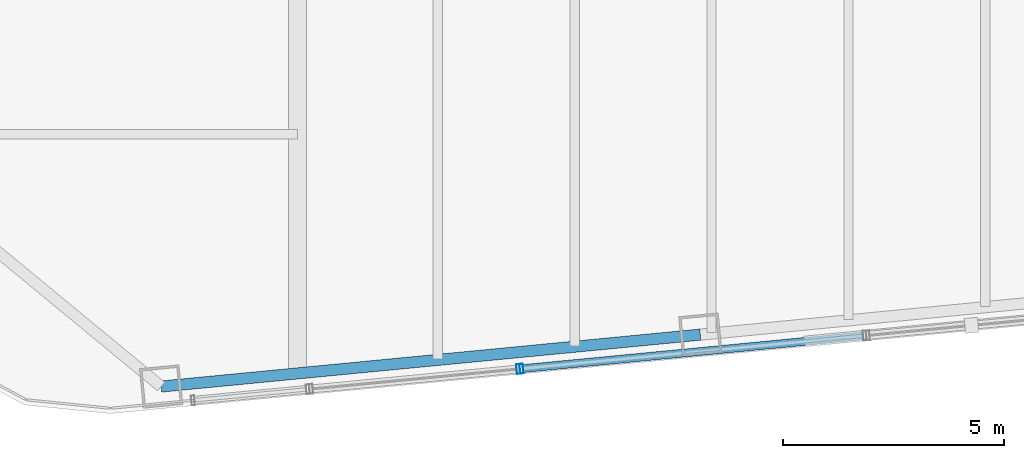
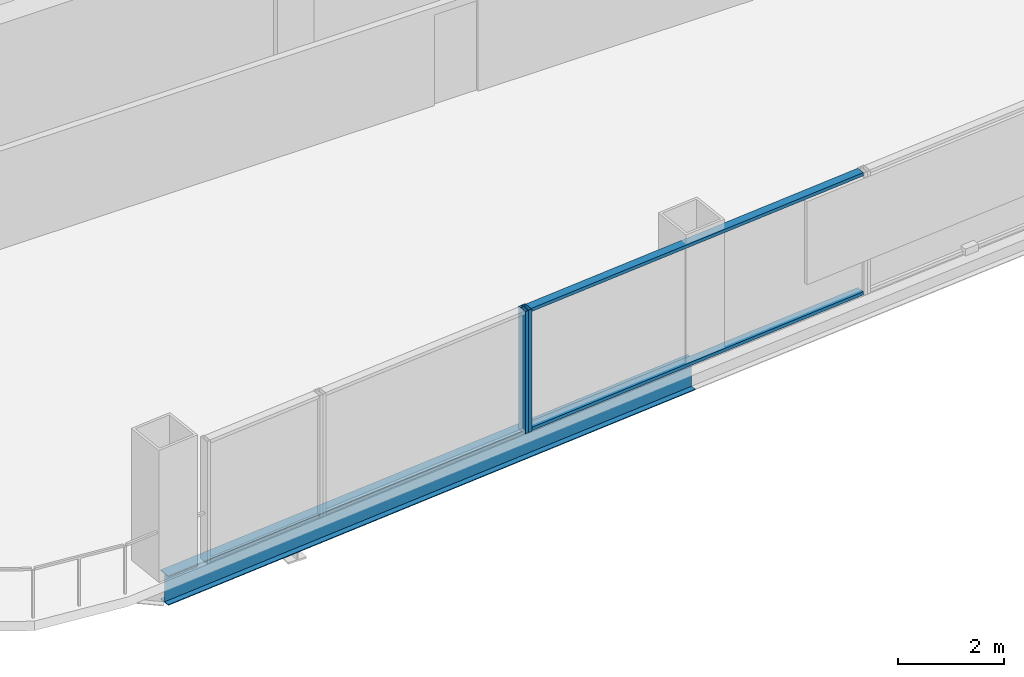
# One storey, part 4 of 27: 4 members, 1 beam, 2 elements without a shape of their own.
"""IFC4 building model written with IfcOpenShell, lengths in metres."""

import ifcopenshell
import ifcopenshell.guid

model = None  # the IFC model being written
_history = None  # IfcOwnerHistory: only IFC2X3 demands one
_inside = {}  # id of a spatial element -> (the spatial element, [elements in it])
_under = {}  # id of a project, library or spatial element -> (it, [spatial elements below it])
_declared = {}  # id of a project -> (the project, [libraries it declares])
_typed = {}  # id of a type object -> (the type object, [elements of that type])
_made_of = {}  # id of a material, layer set ... -> (it, [elements and type objects made of it])


def new_model(schema):
    """Start an empty IFC model of exactly this schema.

    Asked for "IFC4X3", IfcOpenShell would pick the latest addendum, in which some entities
    have other attributes; the version numbers below select the first issue.
    IFC2X3 requires an IfcOwnerHistory on every rooted entity: one is made here for all.
    """
    global model, _history
    if schema == "IFC4X3":
        model = ifcopenshell.file(schema_version=(4, 3, 0, 0))
    else:
        model = ifcopenshell.file(schema=schema)
    _inside.clear()
    _under.clear()
    _declared.clear()
    _typed.clear()
    _made_of.clear()
    _history = None
    if model.schema == "IFC2X3":
        org = make("IfcOrganization", Name="unknown")
        user = make(
            "IfcPersonAndOrganization",
            ThePerson=make("IfcPerson", FamilyName="unknown"),
            TheOrganization=org,
        )
        app = make(
            "IfcApplication",
            ApplicationDeveloper=org,
            Version="unknown",
            ApplicationFullName="unknown",
            ApplicationIdentifier="unknown",
        )
        _history = make(
            "IfcOwnerHistory",
            OwningUser=user,
            OwningApplication=app,
            ChangeAction="ADDED",
            CreationDate=0,
        )
    return model


def make(cls, **values):
    """One entity of the class cls with the attributes given. An attribute that is None is left unset."""
    return model.create_entity(
        cls, **{name: value for name, value in values.items() if value is not None}
    )


def rooted(cls, **values):
    """An entity with a GlobalId (a new one), such as an element, a storey or a relation."""
    return make(cls, GlobalId=ifcopenshell.guid.new(), OwnerHistory=_history, **values)


def si_unit(unit_type, name, prefix=None):
    """IfcSIUnit, for example si_unit("LENGTHUNIT", "METRE", prefix="MILLI")."""
    return make("IfcSIUnit", UnitType=unit_type, Prefix=prefix, Name=name)


def assignment(units):
    """IfcUnitAssignment: the units of a project."""
    return None if units is None else make("IfcUnitAssignment", Units=units)


def point(xyz):
    """IfcCartesianPoint."""
    return None if xyz is None else make("IfcCartesianPoint", Coordinates=xyz)


def direction(xyz):
    """IfcDirection."""
    return None if xyz is None else make("IfcDirection", DirectionRatios=xyz)


def frame(location, z_axis=None, x_axis=None):
    """IfcAxis2Placement3D, a coordinate frame: its origin and axes. An axis left out is left unset."""
    return make(
        "IfcAxis2Placement3D",
        Location=point(location),
        Axis=direction(z_axis),
        RefDirection=direction(x_axis),
    )


def frame_2d(location, x_axis=None):
    """IfcAxis2Placement2D, a coordinate frame in the plane: its origin and x axis."""
    return make(
        "IfcAxis2Placement2D", Location=point(location), RefDirection=direction(x_axis)
    )


def origin():
    """The frame at (0, 0, 0) with its axes left unset."""
    return frame((0.0, 0.0, 0.0))


def origin_2d():
    """The frame at (0, 0) in the plane with its x axis left unset."""
    return frame_2d((0.0, 0.0))


def place(relative_to, where):
    """IfcLocalPlacement: puts the frame where relative to a parent placement (None: the world)."""
    return make(
        "IfcLocalPlacement", PlacementRelTo=relative_to, RelativePlacement=where
    )


def context(
    kind, dimensions, precision=None, world=None, true_north=None, identifier=None
):
    """IfcGeometricRepresentationContext, for example the 3D "Model" context."""
    return make(
        "IfcGeometricRepresentationContext",
        ContextIdentifier=identifier,
        ContextType=kind,
        CoordinateSpaceDimension=dimensions,
        Precision=precision,
        WorldCoordinateSystem=world,
        TrueNorth=true_north,
    )


def subcontext(parent, identifier, kind, view, scale=None):
    """IfcGeometricRepresentationSubContext, for example "Body" below "Model"."""
    return make(
        "IfcGeometricRepresentationSubContext",
        ContextIdentifier=identifier,
        ContextType=kind,
        ParentContext=parent,
        TargetScale=scale,
        TargetView=view,
    )


def project(units=None, contexts=None):
    """IfcProject with its units and contexts."""
    return rooted(
        "IfcProject",
        Name="project",
        RepresentationContexts=contexts,
        UnitsInContext=assignment(units),
    )


def spatial(cls, under=None, at=None, **own):
    """A site, building, storey or space (cls), placed at a placement, below another one or the project."""
    s = rooted(cls, ObjectPlacement=at, **own)
    if under is not None:
        _under.setdefault(under.id(), (under, []))[1].append(s)
    return s


def profile(cls, at=None, kind="AREA", **sizes):
    """A parametric profile (cls). Its sizes go by their IFC names, for example OverallWidth=200.0."""
    return make(cls, ProfileType=kind, Position=at, **sizes)


def hollow_rectangle(**sizes):
    """IfcRectangleHollowProfileDef."""
    return profile("IfcRectangleHollowProfileDef", **sizes)


def i_section(**sizes):
    """IfcIShapeProfileDef."""
    return profile("IfcIShapeProfileDef", **sizes)


def extrude(swept, where, along, depth):
    """IfcExtrudedAreaSolid: the profile swept, set in the frame where, extruded along a direction by depth."""
    return make(
        "IfcExtrudedAreaSolid",
        SweptArea=swept,
        Position=where,
        ExtrudedDirection=direction(along),
        Depth=depth,
    )


def shape(context_of_items, identifier, shape_type, items):
    """IfcShapeRepresentation: the items that make up one representation, for example the "Body"."""
    return make(
        "IfcShapeRepresentation",
        ContextOfItems=context_of_items,
        RepresentationIdentifier=identifier,
        RepresentationType=shape_type,
        Items=items,
    )


def material(Name=None, Category=None):
    """IfcMaterial."""
    return make("IfcMaterial", Name=Name, Category=Category)


def layer(
    of_material, thickness, ventilated=None, Name=None, Category=None, Priority=None
):
    """IfcMaterialLayer: one layer of a wall or slab, of a material (None: an air gap)."""
    return make(
        "IfcMaterialLayer",
        Material=of_material,
        LayerThickness=thickness,
        IsVentilated=ventilated,
        Name=Name,
        Category=Category,
        Priority=Priority,
    )


def layer_set(layers, Name=None):
    """IfcMaterialLayerSet."""
    return make("IfcMaterialLayerSet", MaterialLayers=layers, LayerSetName=Name)


def material_profile(
    of_material, cross_section, Name=None, Category=None, Priority=None
):
    """IfcMaterialProfile: a cross section and its material."""
    return make(
        "IfcMaterialProfile",
        Name=Name,
        Material=of_material,
        Profile=cross_section,
        Priority=Priority,
        Category=Category,
    )


def profile_set(profiles, Name=None, composite=None):
    """IfcMaterialProfileSet."""
    return make(
        "IfcMaterialProfileSet",
        Name=Name,
        MaterialProfiles=profiles,
        CompositeProfile=composite,
    )


def made_of(thing, what):
    """Note that an element or type object is made of a material, layer set ...; save() writes the relation."""
    if what is not None:
        _made_of.setdefault(what.id(), (what, []))[1].append(thing)
    return thing


def type_object(cls, material=None, **own):
    """A type object (cls), such as IfcWallType, which elements share."""
    return made_of(rooted(cls, **own), material)


def element(
    cls,
    number,
    at=None,
    inside=None,
    cuts=None,
    type_object=None,
    material=None,
    context=None,
    identifier="Body",
    shape_type=None,
    held_by="IfcProductDefinitionShape",
    body=None,
    shapes=None,
    **own,
):
    """One element of the class cls, such as IfcWall. Its Tag is "e" and its number.

    at: its placement. inside: the storey or other place that contains it. cuts: it is an
    opening in that element (IfcRelVoidsElement). A single representation is given by context,
    identifier, shape_type and body (its items); several are given by shapes. held_by: the class
    of the entity that holds the representations. save() writes the other relations.
    """
    e = rooted(cls, Tag="e%d" % number, ObjectPlacement=at, **own)
    if body is not None:
        shapes = [shape(context, identifier, shape_type, body)]
    if shapes is not None:
        e.Representation = make(held_by, Representations=shapes)
    if inside is not None:
        _inside.setdefault(inside.id(), (inside, []))[1].append(e)
    if cuts is not None:
        rooted(
            "IfcRelVoidsElement", RelatingBuildingElement=cuts, RelatedOpeningElement=e
        )
    if type_object is not None:
        _typed.setdefault(type_object.id(), (type_object, []))[1].append(e)
    return made_of(e, material)


def aggregate(whole, parts):
    """IfcRelAggregates: a whole, such as a stair, and the parts it consists of."""
    return rooted("IfcRelAggregates", RelatingObject=whole, RelatedObjects=parts)


def save(model, path):
    """Write the relations noted so far, then the file.

    IfcRelAggregates (storeys below a building ...), IfcRelContainedInSpatialStructure (elements
    in a storey), IfcRelDefinesByType, IfcRelAssociatesMaterial and IfcRelDeclares: one each for
    every whole, place, type object, material and project.
    """
    for whole, parts in _under.values():
        aggregate(whole, parts)
    for where, things in _inside.values():
        rooted(
            "IfcRelContainedInSpatialStructure",
            RelatedElements=things,
            RelatingStructure=where,
        )
    for kind, things in _typed.values():
        rooted("IfcRelDefinesByType", RelatedObjects=things, RelatingType=kind)
    for what, things in _made_of.values():
        rooted("IfcRelAssociatesMaterial", RelatedObjects=things, RelatingMaterial=what)
    for by, libraries in _declared.values():
        rooted("IfcRelDeclares", RelatingContext=by, RelatedDefinitions=libraries)
    model.write(path)


model = new_model("IFC4")

# Units and contexts
model_context = context("Model", 3, precision=1e-05, world=origin(), true_north=direction((0.0, 1.0)))
body_context = subcontext(model_context, "Body", "Model", "MODEL_VIEW")
ifc_project = project(units=[si_unit("LENGTHUNIT", "METRE"), si_unit("AREAUNIT", "SQUARE_METRE"), si_unit("VOLUMEUNIT", "CUBIC_METRE"), si_unit("PLANEANGLEUNIT", "RADIAN"), si_unit("MASSUNIT", "GRAM", prefix="KILO")], contexts=[model_context])

# Site, building, storey
site_placement = place(None, origin())
site = spatial("IfcSite", under=ifc_project, at=site_placement, CompositionType="ELEMENT")
building_placement = place(site_placement, origin())
building = spatial("IfcBuilding", under=site, at=building_placement, Name="Qhalaya Broadcast Tower", CompositionType="ELEMENT")
storey_placement = place(building_placement, frame((0.0, 0.0, 75.550048828125)))
storey = spatial("IfcBuildingStorey", under=building, at=storey_placement, Name="L21", CompositionType="ELEMENT", Elevation=75.550048828125)

# Beam
ifc_material_1 = material(Name="Structural Steel ASTM A992 Grade 50", Category="steel")
ifc_material_profile_1 = material_profile(ifc_material_1, i_section(OverallWidth=0.25390625, OverallDepth=0.68310546875, WebThickness=0.012451171875, FlangeThickness=0.01904296875, at=origin_2d()), Name="W27X94")
ifc_profile_set_1 = profile_set([ifc_material_profile_1], Name="Structural Steel ASTM A992 Grade 50")
beam_type = type_object("IfcBeamType", Name="Perimeter Ring Spandrel Beam SP1", PredefinedType="SPANDREL", material=ifc_profile_set_1)
beam_placement = place(storey_placement, frame((-12.46533203125, -22.212646484375, -0.5615234375), z_axis=(0.99539563662, 0.095851586307, 0.0), x_axis=(-0.095851586307, 0.99539563662, 0.0)))
element("IfcBeam", 1, at=beam_placement, inside=storey, type_object=beam_type, Name="L21 SP1 L21-SPR-01", PredefinedType="SPANDREL", context=body_context, shape_type="SweptSolid", body=[
    extrude(i_section(OverallWidth=0.25390625, OverallDepth=0.68310546875, WebThickness=0.012451171875, FlangeThickness=0.01904296875, at=origin_2d()), origin(), (0.0, 0.0, 1.0), 12.2666015625),
])

# Curtain wall, member
ifc_material_2 = material(Name="Solar-Control Low-E Triple Glazing", Category="glass")
ifc_layer_1 = layer(ifc_material_2, 0.219970703125, Name="Solar-Control Low-E Triple Glazing")
ifc_layer_set_1 = layer_set([ifc_layer_1], Name="Solar-Control Low-E Triple Glazing")
curtain_wall_type_1 = type_object("IfcCurtainWallType", Name="Even-Block 4-Storey Double-Module Curtain Wall CW-03", PredefinedType="NOTDEFINED", material=ifc_layer_set_1)
curtain_wall_1_placement = place(storey_placement, origin())
curtain_wall_1 = element("IfcCurtainWall", 2, at=curtain_wall_1_placement, inside=storey, type_object=curtain_wall_type_1, Name="L21 Unitised Curtain Wall L21-CW-S2", PredefinedType="NOTDEFINED")
ifc_material_3 = material(Name="Anodised Aluminium 6063-T6", Category="aluminium")
ifc_material_profile_2 = material_profile(ifc_material_3, hollow_rectangle(XDim=0.074951171875, YDim=0.219970703125, WallThickness=0.00390625, at=origin_2d()), Name="ALU-MUL 75x220x4")
ifc_profile_set_2 = profile_set([ifc_material_profile_2], Name="Anodised Aluminium 6063-T6")
member_type_1 = type_object("IfcMemberType", Name="Unitised Curtain-Wall Mullion M01", PredefinedType="MULLION", material=ifc_profile_set_2)
member_1_placement = place(storey_placement, frame((-4.377685546875, -21.815673828125, 0.0), z_axis=(0.0, 0.0, 1.0), x_axis=(0.995394623965, 0.095862101904, 0.0)))
member_1 = element("IfcMember", 3, at=member_1_placement, type_object=member_type_1, Name="CW-03 mullion 2", PredefinedType="MULLION", context=body_context, shape_type="SweptSolid", body=[
    extrude(hollow_rectangle(XDim=0.074951171875, YDim=0.219970703125, WallThickness=0.00390625, at=origin_2d()), origin(), (0.0, 0.0, 1.0), 2.829833984375),
])
aggregate(curtain_wall_1, [member_1])

# Curtain wall, members
ifc_material_4 = material(Name="Fired Architectural Terracotta", Category="masonry")
ifc_layer_2 = layer(ifc_material_4, 0.219970703125, Name="Fired Architectural Terracotta")
ifc_layer_set_2 = layer_set([ifc_layer_2], Name="Fired Architectural Terracotta")
curtain_wall_type_2 = type_object("IfcCurtainWallType", Name="Block-Cap Unitised Terracotta Spandrel Wall CW-07", PredefinedType="NOTDEFINED", material=ifc_layer_set_2)
curtain_wall_2_placement = place(storey_placement, origin())
curtain_wall_2 = element("IfcCurtainWall", 4, at=curtain_wall_2_placement, inside=storey, type_object=curtain_wall_type_2, Name="L21 Unitised Curtain Wall L21-CW-S3", PredefinedType="NOTDEFINED")
member_2_placement = place(storey_placement, frame((-4.302978515625, -21.808349609375, 0.0), z_axis=(0.0, 0.0, 1.0), x_axis=(0.995396908899, 0.095838373083, 0.0)))
member_2 = element("IfcMember", 5, at=member_2_placement, type_object=member_type_1, Name="CW-07 mullion 1", PredefinedType="MULLION", context=body_context, shape_type="SweptSolid", body=[
    extrude(hollow_rectangle(XDim=0.074951171875, YDim=0.219970703125, WallThickness=0.00390625, at=origin_2d()), origin(), (0.0, 0.0, 1.0), 2.829833984375),
])
ifc_material_profile_3 = material_profile(ifc_material_3, hollow_rectangle(XDim=0.074951171875, YDim=0.179931640625, WallThickness=0.00390625, at=origin_2d()), Name="ALU-TRN 75x180x4")
ifc_profile_set_3 = profile_set([ifc_material_profile_3], Name="Anodised Aluminium 6063-T6")
member_type_2 = type_object("IfcMemberType", Name="Unitised Curtain-Wall Transom T01", PredefinedType="USERDEFINED", material=ifc_profile_set_3)
member_3_placement = place(storey_placement, frame((-4.265625, -21.804931640625, 0.037353515625), z_axis=(0.99539629116, 0.095844788822, 0.0), x_axis=(0.0, 0.0, 1.0)))
member_3 = element("IfcMember", 6, at=member_3_placement, type_object=member_type_2, Name="CW-07 transom 1.1", ObjectType="TRANSOM", PredefinedType="USERDEFINED", context=body_context, shape_type="SweptSolid", body=[
    extrude(hollow_rectangle(XDim=0.074951171875, YDim=0.179931640625, WallThickness=0.00390625, at=origin_2d()), origin(), (0.0, 0.0, 1.0), 7.73095703125),
])
member_4_placement = place(storey_placement, frame((-4.265625, -21.804931640625, 2.79248046875), z_axis=(0.99539629116, 0.095844788822, 0.0), x_axis=(0.0, 0.0, 1.0)))
member_4 = element("IfcMember", 7, at=member_4_placement, type_object=member_type_2, Name="CW-07 transom 1.2", ObjectType="TRANSOM", PredefinedType="USERDEFINED", context=body_context, shape_type="SweptSolid", body=[
    extrude(hollow_rectangle(XDim=0.074951171875, YDim=0.179931640625, WallThickness=0.00390625, at=origin_2d()), origin(), (0.0, 0.0, 1.0), 7.73095703125),
])
aggregate(curtain_wall_2, [member_2, member_3, member_4])

save(model, "model.ifc")
